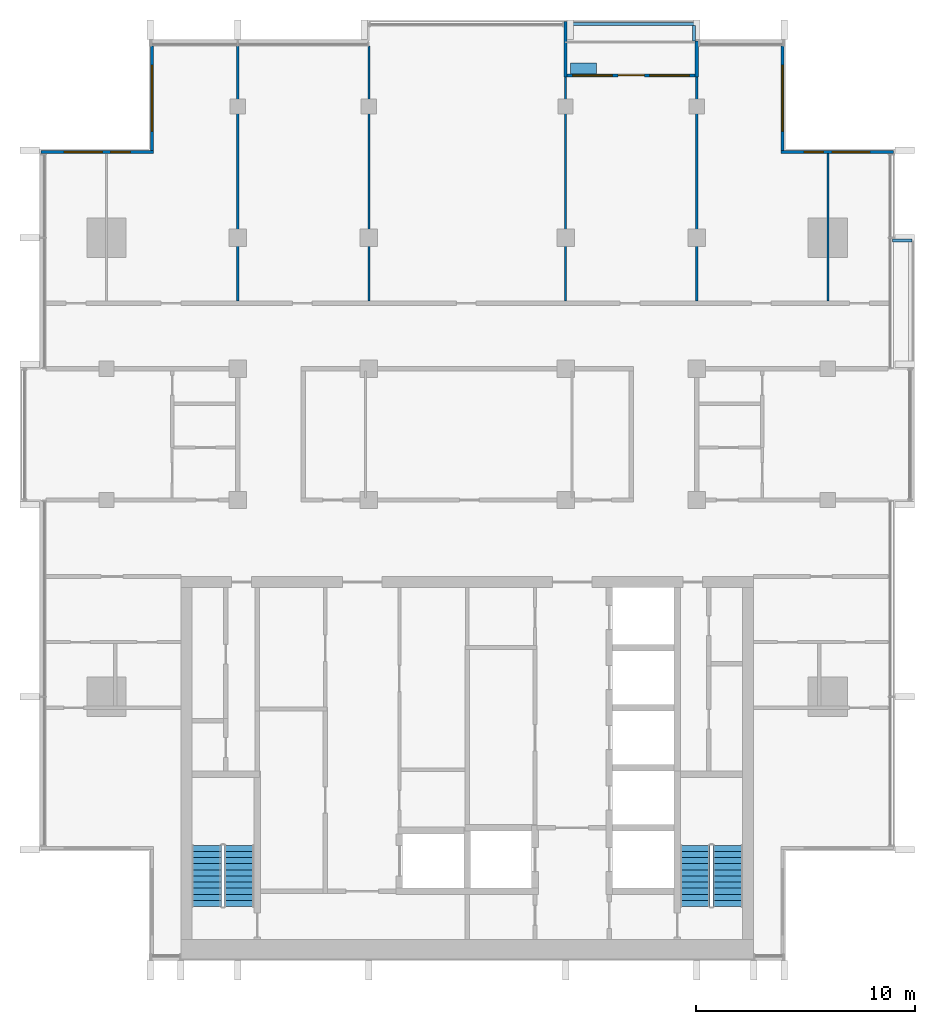
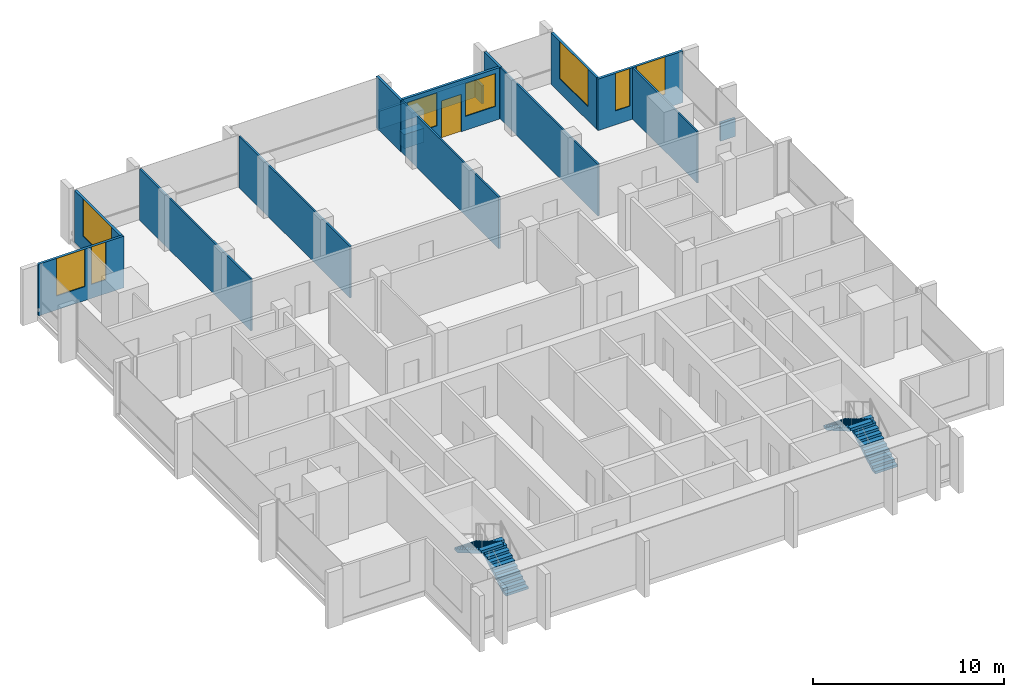
# One storey, part 10 of 15: 16 walls, 8 windows, 4 stair flights, 1 door, 9 openings, 2 elements without a shape of their own.
"""IFC4 building model written with IfcOpenShell, lengths in metres."""

from ifc_helpers import new_model, si_unit, direction, frame, frame_2d, origin, place, context, subcontext, project, spatial, polyline, rectangle, outline, extrude, material, layer, layer_set, type_object, element, fill, aggregate, save


model = new_model("IFC4")

# Units and contexts
model_context = context("Model", 3, precision=1e-05, world=origin(), true_north=direction((0.0, 1.0)))
body_context = subcontext(model_context, "Body", "Model", "MODEL_VIEW")
ifc_project = project(units=[si_unit("LENGTHUNIT", "METRE"), si_unit("AREAUNIT", "SQUARE_METRE"), si_unit("VOLUMEUNIT", "CUBIC_METRE"), si_unit("PLANEANGLEUNIT", "RADIAN"), si_unit("MASSUNIT", "GRAM", prefix="KILO")], contexts=[model_context])

# Site, building, storey
site_placement = place(None, origin())
site = spatial("IfcSite", under=ifc_project, at=site_placement, CompositionType="ELEMENT")
building_placement = place(site_placement, origin())
building = spatial("IfcBuilding", under=site, at=building_placement, Name="Finial Court Residences", CompositionType="ELEMENT")
storey_placement = place(building_placement, frame((0.0, 0.0, 273.5)))
storey = spatial("IfcBuildingStorey", under=building, at=storey_placement, Name="L69", CompositionType="ELEMENT", Elevation=273.5)

# Walls
ifc_material_1 = material(Name="Gypsum board")
ifc_layer_1 = layer(ifc_material_1, 0.012451171875)
ifc_material_2 = material(Name="Mineral wool in light-gauge frame")
ifc_layer_2 = layer(ifc_material_2, 0.074951171875)
ifc_layer_3 = layer(ifc_material_1, 0.012451171875)
ifc_layer_set_1 = layer_set([ifc_layer_1, ifc_layer_2, ifc_layer_3], Name="Gypsum board partition 100")
wall_type_1 = type_object("IfcWallType", Name="Gypsum board partition 100", PredefinedType="PARTITIONING", material=ifc_layer_set_1)
for number, where, z_axis, x_axis, name in (
    (1, (-10.5, 4.60009765625, 0.0), (0.0, 0.0, 1.0), (0.0, 1.0, 0.0), "Partition L69-022"),
    (2, (-4.5, 4.60009765625, 0.0), (0.0, 0.0, 1.0), (0.0, 1.0, 0.0), "Partition L69-025"),
):
    element("IfcWall", number, at=place(storey_placement, frame(where, z_axis=z_axis, x_axis=x_axis)), inside=storey, type_object=wall_type_1, Name=name, PredefinedType="PARTITIONING", context=body_context, shape_type="SweptSolid", body=[
        extrude(rectangle(XDim=11.662353515625, YDim=0.10009765625, at=frame_2d((5.8310546875, 0.0))), origin(), (0.0, 0.0, 1.0), 3.300048828125),
    ])
for number, where, z_axis, x_axis, name in (
    (3, (4.5, 4.60009765625, 0.0), (0.0, 0.0, 1.0), (0.0, 1.0, 0.0), "Partition L69-026"),
    (4, (10.5, 4.60009765625, 0.0), (0.0, 0.0, 1.0), (0.0, 1.0, 0.0), "Partition L69-030"),
):
    element("IfcWall", number, at=place(storey_placement, frame(where, z_axis=z_axis, x_axis=x_axis)), inside=storey, type_object=wall_type_1, Name=name, PredefinedType="PARTITIONING", context=body_context, shape_type="SweptSolid", body=[
        extrude(rectangle(XDim=10.25, YDim=0.10009765625, at=frame_2d((5.125, 0.0))), origin(), (0.0, 0.0, 1.0), 3.300048828125),
    ])
wall_1_placement = place(storey_placement, frame((16.5, 4.60009765625, 0.0), z_axis=(0.0, 0.0, 1.0), x_axis=(0.0, 1.0, 0.0)))
element("IfcWall", 5, at=wall_1_placement, inside=storey, type_object=wall_type_1, Name="Partition L69-034", PredefinedType="PARTITIONING", context=body_context, shape_type="SweptSolid", body=[
    extrude(rectangle(XDim=6.75, YDim=0.10009765625, at=frame_2d((3.375, 0.0))), origin(), (0.0, 0.0, 1.0), 3.300048828125),
])
ifc_material_3 = material(Name="Concrete C35/45", Category="concrete")
ifc_layer_4 = layer(ifc_material_3, 0.14990234375)
ifc_layer_set_2 = layer_set([ifc_layer_4], Name="Ledge parapet, Concrete C35/45 150")
wall_type_2 = type_object("IfcWallType", Name="Ledge parapet, Concrete C35/45 150", PredefinedType="PARAPET", material=ifc_layer_set_2)
wall_2_placement = place(storey_placement, frame((4.510009765625, 17.27490234375, 0.0), z_axis=(0.0, 0.0, 1.0), x_axis=(1.0, 0.0, 0.0)))
element("IfcWall", 6, at=wall_2_placement, inside=storey, type_object=wall_type_2, Name="E-L69-LED1-P1", PredefinedType="PARAPET", context=body_context, shape_type="SweptSolid", body=[
    extrude(rectangle(XDim=5.93994140625, YDim=0.14990234375, at=frame_2d((2.969970703125, 0.0))), origin(), (0.0, 0.0, 1.0), 1.14990234375),
])
wall_3_placement = place(storey_placement, frame((10.375, 17.199951171875, 0.0), z_axis=(0.0, 0.0, 1.0), x_axis=(0.0, -1.0, 0.0)))
element("IfcWall", 7, at=wall_3_placement, inside=storey, type_object=wall_type_2, Name="E-L69-LED1-P2", PredefinedType="PARAPET", context=body_context, shape_type="SweptSolid", body=[
    extrude(rectangle(XDim=0.68994140625, YDim=0.14990234375, at=frame_2d((0.344970703125, 0.0))), origin(), (0.0, 0.0, 1.0), 1.14990234375),
])
wall_4_placement = place(storey_placement, frame((19.447509765625, 7.375, 0.0), z_axis=(0.0, 0.0, 1.0), x_axis=(1.0, 0.0, 0.0)))
element("IfcWall", 8, at=wall_4_placement, inside=storey, type_object=wall_type_2, Name="E-L69-LED2-P1", PredefinedType="PARAPET", context=body_context, shape_type="SweptSolid", body=[
    extrude(rectangle(XDim=0.902587890625, YDim=0.14990234375, at=frame_2d((0.451171875, 0.0))), origin(), (0.0, 0.0, 1.0), 1.14990234375),
])

# Wall, opening, window
ifc_material_4 = material(Name="Natural limestone", Category="masonry")
ifc_layer_5 = layer(ifc_material_4, 0.14990234375)
ifc_layer_set_3 = layer_set([ifc_layer_5], Name="Limestone clad wall 150")
wall_type_3 = type_object("IfcWallType", Name="Limestone clad wall 150", PredefinedType="SOLIDWALL", material=ifc_layer_set_3)
wall_5_placement = place(storey_placement, frame((-14.425048828125, 11.5, 0.0), z_axis=(0.0, 0.0, 1.0), x_axis=(0.0, 1.0, 0.0)))
wall_5 = element("IfcWall", 9, at=wall_5_placement, inside=storey, type_object=wall_type_3, Name="E-L69-NWW16", PredefinedType="SOLIDWALL", context=body_context, shape_type="SweptSolid", body=[
    extrude(rectangle(XDim=4.762451171875, YDim=0.14990234375, at=frame_2d((2.38134765625, 0.0))), origin(), (0.0, 0.0, 1.0), 3.300048828125),
])
opening_1_placement = place(wall_5_placement, frame((0.881103515625, 0.0, 0.89990234375)))
opening_1 = element("IfcOpeningElement", 10, at=opening_1_placement, cuts=wall_5, Name="Opening WE69-05", PredefinedType="OPENING", context=body_context, shape_type="SweptSolid", body=[
    extrude(rectangle(XDim=3.0, YDim=2.39990234375, at=frame_2d((1.5, 1.199951171875))), frame((0.0, 0.0849609375, 0.0), z_axis=(0.0, -1.0, 0.0), x_axis=(1.0, 0.0, 0.0)), (0.0, 0.0, 1.0), 0.169921875),
])
ifc_material_5 = material(Name="Clear low-e glass", Category="glass")
window_type_1 = type_object("IfcWindowType", Name="Corner window 3000 x 2400", PartitioningType="SINGLE_PANEL", PredefinedType="WINDOW", material=ifc_material_5)
window_1_placement = place(opening_1_placement, origin())
window_1 = element("IfcWindow", 11, at=window_1_placement, inside=storey, type_object=window_type_1, Name="E-L69-NWW16-W1", OverallHeight=2.39990234375, OverallWidth=3.0, PartitioningType="SINGLE_PANEL", PredefinedType="WINDOW", context=body_context, shape_type="SweptSolid", body=[
    extrude(rectangle(XDim=3.0, YDim=2.39990234375, at=frame_2d((1.5, 1.199951171875))), frame((0.0, 0.030029296875, 0.0), z_axis=(0.0, -1.0, 0.0), x_axis=(1.0, 0.0, 0.0)), (0.0, 0.0, 1.0), 0.06005859375),
])
fill(opening_1, window_1)

# Wall, openings, windows
wall_6_placement = place(storey_placement, frame((-19.5, 11.425048828125, 0.0), z_axis=(0.0, 0.0, 1.0), x_axis=(1.0, 0.0, 0.0)))
wall_6 = element("IfcWall", 12, at=wall_6_placement, inside=storey, type_object=wall_type_3, Name="E-L69-NWN17", PredefinedType="SOLIDWALL", context=body_context, shape_type="SweptSolid", body=[
    extrude(rectangle(XDim=5.14990234375, YDim=0.14990234375, at=frame_2d((2.574951171875, 0.0))), origin(), (0.0, 0.0, 1.0), 3.300048828125),
])
opening_2_placement = place(wall_6_placement, frame((1.074951171875, 0.0, 0.89990234375)))
opening_2 = element("IfcOpeningElement", 13, at=opening_2_placement, cuts=wall_6, Name="Opening WE69-06", PredefinedType="OPENING", context=body_context, shape_type="SweptSolid", body=[
    extrude(rectangle(XDim=1.72509765625, YDim=2.39990234375, at=frame_2d((0.862548828125, 1.199951171875))), frame((0.0, 0.0849609375, 0.0), z_axis=(0.0, -1.0, 0.0), x_axis=(1.0, 0.0, 0.0)), (0.0, 0.0, 1.0), 0.169921875),
])
opening_3_placement = place(wall_6_placement, frame((3.199951171875, 0.0, 0.89990234375)))
opening_3 = element("IfcOpeningElement", 14, at=opening_3_placement, cuts=wall_6, Name="Opening WE69-07", PredefinedType="OPENING", context=body_context, shape_type="SweptSolid", body=[
    extrude(rectangle(XDim=0.875, YDim=2.39990234375, at=frame_2d((0.4375, 1.199951171875))), frame((0.0, 0.0849609375, 0.0), z_axis=(0.0, -1.0, 0.0), x_axis=(1.0, 0.0, 0.0)), (0.0, 0.0, 1.0), 0.169921875),
])
window_type_2 = type_object("IfcWindowType", Name="Corner window 1725 x 2400", PartitioningType="SINGLE_PANEL", PredefinedType="WINDOW", material=ifc_material_5)
window_2_placement = place(opening_2_placement, origin())
window_2 = element("IfcWindow", 15, at=window_2_placement, inside=storey, type_object=window_type_2, Name="E-L69-NWN17-W1", OverallHeight=2.39990234375, OverallWidth=1.72509765625, PartitioningType="SINGLE_PANEL", PredefinedType="WINDOW", context=body_context, shape_type="SweptSolid", body=[
    extrude(rectangle(XDim=1.72509765625, YDim=2.39990234375, at=frame_2d((0.862548828125, 1.199951171875))), frame((0.0, 0.030029296875, 0.0), z_axis=(0.0, -1.0, 0.0), x_axis=(1.0, 0.0, 0.0)), (0.0, 0.0, 1.0), 0.06005859375),
])
fill(opening_2, window_2)
window_type_3 = type_object("IfcWindowType", Name="Corner window 875 x 2400", PartitioningType="SINGLE_PANEL", PredefinedType="WINDOW", material=ifc_material_5)
window_3_placement = place(opening_3_placement, origin())
window_3 = element("IfcWindow", 16, at=window_3_placement, inside=storey, type_object=window_type_3, Name="E-L69-NWN17-W2", OverallHeight=2.39990234375, OverallWidth=0.875, PartitioningType="SINGLE_PANEL", PredefinedType="WINDOW", context=body_context, shape_type="SweptSolid", body=[
    extrude(rectangle(XDim=0.875, YDim=2.39990234375, at=frame_2d((0.4375, 1.199951171875))), frame((0.0, 0.030029296875, 0.0), z_axis=(0.0, -1.0, 0.0), x_axis=(1.0, 0.0, 0.0)), (0.0, 0.0, 1.0), 0.06005859375),
])
fill(opening_3, window_3)

# Wall, opening, window
wall_7_placement = place(storey_placement, frame((14.425048828125, 16.262451171875, 0.0), z_axis=(0.0, 0.0, 1.0), x_axis=(0.0, -1.0, 0.0)))
wall_7 = element("IfcWall", 17, at=wall_7_placement, inside=storey, type_object=wall_type_3, Name="E-L69-NWE18", PredefinedType="SOLIDWALL", context=body_context, shape_type="SweptSolid", body=[
    extrude(rectangle(XDim=4.762451171875, YDim=0.14990234375, at=frame_2d((2.38134765625, 0.0))), origin(), (0.0, 0.0, 1.0), 3.300048828125),
])
opening_4_placement = place(wall_7_placement, frame((0.881103515625, 0.0, 0.89990234375)))
opening_4 = element("IfcOpeningElement", 18, at=opening_4_placement, cuts=wall_7, Name="Opening WE69-08", PredefinedType="OPENING", context=body_context, shape_type="SweptSolid", body=[
    extrude(rectangle(XDim=3.0, YDim=2.39990234375, at=frame_2d((1.5, 1.199951171875))), frame((0.0, 0.0849609375, 0.0), z_axis=(0.0, -1.0, 0.0), x_axis=(1.0, 0.0, 0.0)), (0.0, 0.0, 1.0), 0.169921875),
])
window_4_placement = place(opening_4_placement, origin())
window_4 = element("IfcWindow", 19, at=window_4_placement, inside=storey, type_object=window_type_1, Name="E-L69-NWE18-W1", OverallHeight=2.39990234375, OverallWidth=3.0, PartitioningType="SINGLE_PANEL", PredefinedType="WINDOW", context=body_context, shape_type="SweptSolid", body=[
    extrude(rectangle(XDim=3.0, YDim=2.39990234375, at=frame_2d((1.5, 1.199951171875))), frame((0.0, 0.030029296875, 0.0), z_axis=(0.0, -1.0, 0.0), x_axis=(1.0, 0.0, 0.0)), (0.0, 0.0, 1.0), 0.06005859375),
])
fill(opening_4, window_4)

# Wall, openings, windows
wall_8_placement = place(storey_placement, frame((14.35009765625, 11.425048828125, 0.0), z_axis=(0.0, 0.0, 1.0), x_axis=(1.0, 0.0, 0.0)))
wall_8 = element("IfcWall", 20, at=wall_8_placement, inside=storey, type_object=wall_type_3, Name="E-L69-NWN19", PredefinedType="SOLIDWALL", context=body_context, shape_type="SweptSolid", body=[
    extrude(rectangle(XDim=5.14990234375, YDim=0.14990234375, at=frame_2d((2.574951171875, 0.0))), origin(), (0.0, 0.0, 1.0), 3.300048828125),
])
opening_5_placement = place(wall_8_placement, frame((1.074951171875, 0.0, 0.89990234375)))
opening_5 = element("IfcOpeningElement", 21, at=opening_5_placement, cuts=wall_8, Name="Opening WE69-09", PredefinedType="OPENING", context=body_context, shape_type="SweptSolid", body=[
    extrude(rectangle(XDim=0.875, YDim=2.39990234375, at=frame_2d((0.4375, 1.199951171875))), frame((0.0, 0.0849609375, 0.0), z_axis=(0.0, -1.0, 0.0), x_axis=(1.0, 0.0, 0.0)), (0.0, 0.0, 1.0), 0.169921875),
])
opening_6_placement = place(wall_8_placement, frame((2.35009765625, 0.0, 0.89990234375)))
opening_6 = element("IfcOpeningElement", 22, at=opening_6_placement, cuts=wall_8, Name="Opening WE69-10", PredefinedType="OPENING", context=body_context, shape_type="SweptSolid", body=[
    extrude(rectangle(XDim=1.72509765625, YDim=2.39990234375, at=frame_2d((0.862548828125, 1.199951171875))), frame((0.0, 0.0849609375, 0.0), z_axis=(0.0, -1.0, 0.0), x_axis=(1.0, 0.0, 0.0)), (0.0, 0.0, 1.0), 0.169921875),
])
window_5_placement = place(opening_6_placement, origin())
window_5 = element("IfcWindow", 23, at=window_5_placement, inside=storey, type_object=window_type_2, Name="E-L69-NWN19-W2", OverallHeight=2.39990234375, OverallWidth=1.72509765625, PartitioningType="SINGLE_PANEL", PredefinedType="WINDOW", context=body_context, shape_type="SweptSolid", body=[
    extrude(rectangle(XDim=1.72509765625, YDim=2.39990234375, at=frame_2d((0.862548828125, 1.199951171875))), frame((0.0, 0.030029296875, 0.0), z_axis=(0.0, -1.0, 0.0), x_axis=(1.0, 0.0, 0.0)), (0.0, 0.0, 1.0), 0.06005859375),
])
fill(opening_6, window_5)
window_6_placement = place(opening_5_placement, origin())
window_6 = element("IfcWindow", 24, at=window_6_placement, inside=storey, type_object=window_type_3, Name="E-L69-NWN19-W1", OverallHeight=2.39990234375, OverallWidth=0.875, PartitioningType="SINGLE_PANEL", PredefinedType="WINDOW", context=body_context, shape_type="SweptSolid", body=[
    extrude(rectangle(XDim=0.875, YDim=2.39990234375, at=frame_2d((0.4375, 1.199951171875))), frame((0.0, 0.030029296875, 0.0), z_axis=(0.0, -1.0, 0.0), x_axis=(1.0, 0.0, 0.0)), (0.0, 0.0, 1.0), 0.06005859375),
])
fill(opening_5, window_6)

# Walls
wall_9_placement = place(storey_placement, frame((4.5, 14.85009765625, 0.0), z_axis=(0.0, 0.0, 1.0), x_axis=(0.0, 1.0, 0.0)))
element("IfcWall", 25, at=wall_9_placement, inside=storey, type_object=wall_type_3, Name="E-L69-BALN4-P1", PredefinedType="SOLIDWALL", context=body_context, shape_type="SweptSolid", body=[
    extrude(rectangle(XDim=2.5498046875, YDim=0.14990234375, at=frame_2d((1.27490234375, 0.0))), origin(), (0.0, 0.0, 1.0), 3.300048828125),
])
wall_10_placement = place(storey_placement, frame((10.5, 14.85009765625, 0.0), z_axis=(0.0, 0.0, 1.0), x_axis=(0.0, 1.0, 0.0)))
element("IfcWall", 26, at=wall_10_placement, inside=storey, type_object=wall_type_3, Name="E-L69-BALN4-P2", PredefinedType="SOLIDWALL", context=body_context, shape_type="SweptSolid", body=[
    extrude(rectangle(XDim=1.64990234375, YDim=0.14990234375, at=frame_2d((0.824951171875, 0.0))), origin(), (0.0, 0.0, 1.0), 3.300048828125),
])

# Wall, openings, door, windows
wall_11_placement = place(storey_placement, frame((4.574951171875, 14.925048828125, 0.0), z_axis=(0.0, 0.0, 1.0), x_axis=(1.0, 0.0, 0.0)))
wall_11 = element("IfcWall", 27, at=wall_11_placement, inside=storey, type_object=wall_type_3, Name="E-L69-L69-BALN4-W", PredefinedType="SOLIDWALL", context=body_context, shape_type="SweptSolid", body=[
    extrude(rectangle(XDim=5.85009765625, YDim=0.14990234375, at=frame_2d((2.925048828125, 0.0))), origin(), (0.0, 0.0, 1.0), 3.300048828125),
])
opening_7_placement = place(wall_11_placement, frame((2.324951171875, 0.0, 0.0)))
opening_7 = element("IfcOpeningElement", 28, at=opening_7_placement, cuts=wall_11, Name="Opening DE69-01", PredefinedType="OPENING", context=body_context, shape_type="SweptSolid", body=[
    extrude(rectangle(XDim=1.199951171875, YDim=2.39990234375, at=frame_2d((0.60009765625, 1.199951171875))), frame((0.0, 0.0849609375, 0.0), z_axis=(0.0, -1.0, 0.0), x_axis=(1.0, 0.0, 0.0)), (0.0, 0.0, 1.0), 0.169921875),
])
opening_8_placement = place(wall_11_placement, frame((0.262451171875, 0.0, 0.89990234375)))
opening_8 = element("IfcOpeningElement", 29, at=opening_8_placement, cuts=wall_11, Name="Opening WE69-11", PredefinedType="OPENING", context=body_context, shape_type="SweptSolid", body=[
    extrude(rectangle(XDim=1.800048828125, YDim=2.10009765625, at=frame_2d((0.89990234375, 1.050048828125))), frame((0.0, 0.0849609375, 0.0), z_axis=(0.0, -1.0, 0.0), x_axis=(1.0, 0.0, 0.0)), (0.0, 0.0, 1.0), 0.169921875),
])
opening_9_placement = place(wall_11_placement, frame((3.78759765625, 0.0, 0.89990234375)))
opening_9 = element("IfcOpeningElement", 30, at=opening_9_placement, cuts=wall_11, Name="Opening WE69-12", PredefinedType="OPENING", context=body_context, shape_type="SweptSolid", body=[
    extrude(rectangle(XDim=1.800048828125, YDim=2.10009765625, at=frame_2d((0.89990234375, 1.050048828125))), frame((0.0, 0.0849609375, 0.0), z_axis=(0.0, -1.0, 0.0), x_axis=(1.0, 0.0, 0.0)), (0.0, 0.0, 1.0), 0.169921875),
])
ifc_material_6 = material(Name="Bronze anodised aluminium", Category="aluminium")
door_type = type_object("IfcDoorType", Name="Balcony door 1200 x 2400", OperationType="SINGLE_SWING_LEFT", PredefinedType="DOOR", material=ifc_material_6)
door_placement = place(opening_7_placement, origin())
door = element("IfcDoor", 31, at=door_placement, inside=storey, type_object=door_type, Name="E-L69-L69-BALN4-W-D", OperationType="SINGLE_SWING_RIGHT", OverallHeight=2.39990234375, OverallWidth=1.199951171875, PredefinedType="DOOR", context=body_context, shape_type="SweptSolid", body=[
    extrude(rectangle(XDim=1.199951171875, YDim=2.39990234375, at=frame_2d((0.60009765625, 1.199951171875))), frame((0.0, 0.02490234375, 0.0), z_axis=(0.0, -1.0, 0.0), x_axis=(1.0, 0.0, 0.0)), (0.0, 0.0, 1.0), 0.050048828125),
])
fill(opening_7, door)
window_type_4 = type_object("IfcWindowType", Name="Balcony window 1800 x 2100", PartitioningType="SINGLE_PANEL", PredefinedType="WINDOW", material=ifc_material_5)
window_7_placement = place(opening_8_placement, origin())
window_7 = element("IfcWindow", 32, at=window_7_placement, inside=storey, type_object=window_type_4, Name="E-L69-L69-BALN4-W-W1", OverallHeight=2.10009765625, OverallWidth=1.800048828125, PartitioningType="SINGLE_PANEL", PredefinedType="WINDOW", context=body_context, shape_type="SweptSolid", body=[
    extrude(rectangle(XDim=1.800048828125, YDim=2.10009765625, at=frame_2d((0.89990234375, 1.050048828125))), frame((0.0, 0.030029296875, 0.0), z_axis=(0.0, -1.0, 0.0), x_axis=(1.0, 0.0, 0.0)), (0.0, 0.0, 1.0), 0.06005859375),
])
fill(opening_8, window_7)
window_8_placement = place(opening_9_placement, origin())
window_8 = element("IfcWindow", 33, at=window_8_placement, inside=storey, type_object=window_type_4, Name="E-L69-L69-BALN4-W-W2", OverallHeight=2.10009765625, OverallWidth=1.800048828125, PartitioningType="SINGLE_PANEL", PredefinedType="WINDOW", context=body_context, shape_type="SweptSolid", body=[
    extrude(rectangle(XDim=1.800048828125, YDim=2.10009765625, at=frame_2d((0.89990234375, 1.050048828125))), frame((0.0, 0.030029296875, 0.0), z_axis=(0.0, -1.0, 0.0), x_axis=(1.0, 0.0, 0.0)), (0.0, 0.0, 1.0), 0.06005859375),
])
fill(opening_9, window_8)

# Wall
ifc_material_7 = material(Name="Concrete C40/50", Category="concrete")
ifc_layer_6 = layer(ifc_material_7, 0.10009765625)
ifc_material_8 = material(Name="Planting soil", Category="soil")
ifc_layer_7 = layer(ifc_material_8, 0.300048828125)
ifc_layer_8 = layer(ifc_material_7, 0.10009765625)
ifc_layer_set_4 = layer_set([ifc_layer_6, ifc_layer_7, ifc_layer_8], Name="Planter wall, balcony")
wall_type_4 = type_object("IfcWallType", Name="Planter wall, balcony", PredefinedType="USERDEFINED", material=ifc_layer_set_4)
wall_12_placement = place(storey_placement, frame((4.72509765625, 15.25, 0.0), z_axis=(0.0, 0.0, 1.0), x_axis=(1.0, 0.0, 0.0)))
element("IfcWall", 34, at=wall_12_placement, inside=storey, type_object=wall_type_4, Name="E-L69-BALN4-PL", ObjectType="PLANTER", PredefinedType="USERDEFINED", context=body_context, shape_type="SweptSolid", body=[
    extrude(rectangle(XDim=1.199951171875, YDim=0.5, at=frame_2d((0.60009765625, 0.0))), origin(), (0.0, 0.0, 1.0), 0.89990234375),
])

# Stair, stair flights
ifc_material_9 = material(Name="Concrete C50/60", Category="concrete")
stair_type = type_object("IfcStairType", Name="Exit stair 22 risers of 163.6 mm", PredefinedType="HALF_TURN_STAIR", material=ifc_material_9)
stair_1_placement = place(storey_placement, origin())
stair_1 = element("IfcStair", 35, at=stair_1_placement, inside=storey, type_object=stair_type, Name="L69 Exit stair ST-1", PredefinedType="HALF_TURN_STAIR")
stair_flight_type = type_object("IfcStairFlightType", Name="Exit stair flight", PredefinedType="STRAIGHT", material=ifc_material_9)
stair_flight_1_placement = place(storey_placement, frame((-10.425048828125, -23.10009765625, 0.0), z_axis=(0.0, 0.0, 1.0), x_axis=(0.0, 1.0, 0.0)))
stair_flight_1 = element("IfcStairFlight", 36, at=stair_flight_1_placement, type_object=stair_flight_type, Name="ST-1 flight 1", NumberOfRisers=11, NumberOfTreads=10, PredefinedType="STRAIGHT", RiserHeight=0.163636364, TreadLength=0.28, context=body_context, shape_type="SweptSolid", body=[
    extrude(outline(polyline([(0.0, 0.0), (0.0, 0.16357421875), (0.280029296875, 0.16357421875), (0.280029296875, 0.327392578125), (0.56005859375, 0.327392578125), (0.56005859375, 0.490966796875), (0.840087890625, 0.490966796875), (0.840087890625, 0.654541015625), (1.1201171875, 0.654541015625), (1.1201171875, 0.818115234375), (1.39990234375, 0.818115234375), (1.39990234375, 0.98193359375), (1.679931640625, 0.98193359375), (1.679931640625, 1.1455078125), (1.9599609375, 1.1455078125), (1.9599609375, 1.30908203125), (2.239990234375, 1.30908203125), (2.239990234375, 1.47265625), (2.52001953125, 1.47265625), (2.52001953125, 1.636474609375), (2.800048828125, 1.636474609375), (2.800048828125, 1.800048828125), (2.800048828125, 1.462646484375), (0.297119140625, 0.0), (0.0, 0.0)])), frame((0.0, 0.675048828125, 0.0), z_axis=(0.0, -1.0, 0.0), x_axis=(1.0, 0.0, 0.0)), (0.0, 0.0, 1.0), 1.35009765625),
])
stair_flight_2_placement = place(storey_placement, frame((-11.925048828125, -20.300048828125, 1.800048828125), z_axis=(0.0, 0.0, 1.0), x_axis=(0.0, -1.0, 0.0)))
stair_flight_2 = element("IfcStairFlight", 37, at=stair_flight_2_placement, type_object=stair_flight_type, Name="ST-1 flight 2", NumberOfRisers=11, NumberOfTreads=10, PredefinedType="STRAIGHT", RiserHeight=0.163636364, TreadLength=0.28, context=body_context, shape_type="SweptSolid", body=[
    extrude(outline(polyline([(0.0, 0.0), (0.0, 0.16357421875), (0.280029296875, 0.16357421875), (0.280029296875, 0.327392578125), (0.56005859375, 0.327392578125), (0.56005859375, 0.490966796875), (0.840087890625, 0.490966796875), (0.840087890625, 0.654541015625), (1.1201171875, 0.654541015625), (1.1201171875, 0.818115234375), (1.39990234375, 0.818115234375), (1.39990234375, 0.98193359375), (1.679931640625, 0.98193359375), (1.679931640625, 1.1455078125), (1.9599609375, 1.1455078125), (1.9599609375, 1.30908203125), (2.239990234375, 1.30908203125), (2.239990234375, 1.47265625), (2.52001953125, 1.47265625), (2.52001953125, 1.636474609375), (2.800048828125, 1.636474609375), (2.800048828125, 1.800048828125), (2.800048828125, 1.462646484375), (0.297119140625, 0.0), (0.0, 0.0)])), frame((0.0, 0.675048828125, 0.0), z_axis=(0.0, -1.0, 0.0), x_axis=(1.0, 0.0, 0.0)), (0.0, 0.0, 1.0), 1.35009765625),
])
aggregate(stair_1, [stair_flight_1, stair_flight_2])

stair_2_placement = place(storey_placement, origin())
stair_2 = element("IfcStair", 38, at=stair_2_placement, inside=storey, type_object=stair_type, Name="L69 Exit stair ST-2", PredefinedType="HALF_TURN_STAIR")
stair_flight_3_placement = place(storey_placement, frame((11.925048828125, -23.10009765625, 0.0), z_axis=(0.0, 0.0, 1.0), x_axis=(0.0, 1.0, 0.0)))
stair_flight_3 = element("IfcStairFlight", 39, at=stair_flight_3_placement, type_object=stair_flight_type, Name="ST-2 flight 1", NumberOfRisers=11, NumberOfTreads=10, PredefinedType="STRAIGHT", RiserHeight=0.163636364, TreadLength=0.28, context=body_context, shape_type="SweptSolid", body=[
    extrude(outline(polyline([(0.0, 0.0), (0.0, 0.16357421875), (0.280029296875, 0.16357421875), (0.280029296875, 0.327392578125), (0.56005859375, 0.327392578125), (0.56005859375, 0.490966796875), (0.840087890625, 0.490966796875), (0.840087890625, 0.654541015625), (1.1201171875, 0.654541015625), (1.1201171875, 0.818115234375), (1.39990234375, 0.818115234375), (1.39990234375, 0.98193359375), (1.679931640625, 0.98193359375), (1.679931640625, 1.1455078125), (1.9599609375, 1.1455078125), (1.9599609375, 1.30908203125), (2.239990234375, 1.30908203125), (2.239990234375, 1.47265625), (2.52001953125, 1.47265625), (2.52001953125, 1.636474609375), (2.800048828125, 1.636474609375), (2.800048828125, 1.800048828125), (2.800048828125, 1.462646484375), (0.297119140625, 0.0), (0.0, 0.0)])), frame((0.0, 0.675048828125, 0.0), z_axis=(0.0, -1.0, 0.0), x_axis=(1.0, 0.0, 0.0)), (0.0, 0.0, 1.0), 1.35009765625),
])
stair_flight_4_placement = place(storey_placement, frame((10.425048828125, -20.300048828125, 1.800048828125), z_axis=(0.0, 0.0, 1.0), x_axis=(0.0, -1.0, 0.0)))
stair_flight_4 = element("IfcStairFlight", 40, at=stair_flight_4_placement, type_object=stair_flight_type, Name="ST-2 flight 2", NumberOfRisers=11, NumberOfTreads=10, PredefinedType="STRAIGHT", RiserHeight=0.163636364, TreadLength=0.28, context=body_context, shape_type="SweptSolid", body=[
    extrude(outline(polyline([(0.0, 0.0), (0.0, 0.16357421875), (0.280029296875, 0.16357421875), (0.280029296875, 0.327392578125), (0.56005859375, 0.327392578125), (0.56005859375, 0.490966796875), (0.840087890625, 0.490966796875), (0.840087890625, 0.654541015625), (1.1201171875, 0.654541015625), (1.1201171875, 0.818115234375), (1.39990234375, 0.818115234375), (1.39990234375, 0.98193359375), (1.679931640625, 0.98193359375), (1.679931640625, 1.1455078125), (1.9599609375, 1.1455078125), (1.9599609375, 1.30908203125), (2.239990234375, 1.30908203125), (2.239990234375, 1.47265625), (2.52001953125, 1.47265625), (2.52001953125, 1.636474609375), (2.800048828125, 1.636474609375), (2.800048828125, 1.800048828125), (2.800048828125, 1.462646484375), (0.297119140625, 0.0), (0.0, 0.0)])), frame((0.0, 0.675048828125, 0.0), z_axis=(0.0, -1.0, 0.0), x_axis=(1.0, 0.0, 0.0)), (0.0, 0.0, 1.0), 1.35009765625),
])
aggregate(stair_2, [stair_flight_3, stair_flight_4])

save(model, "model.ifc")
